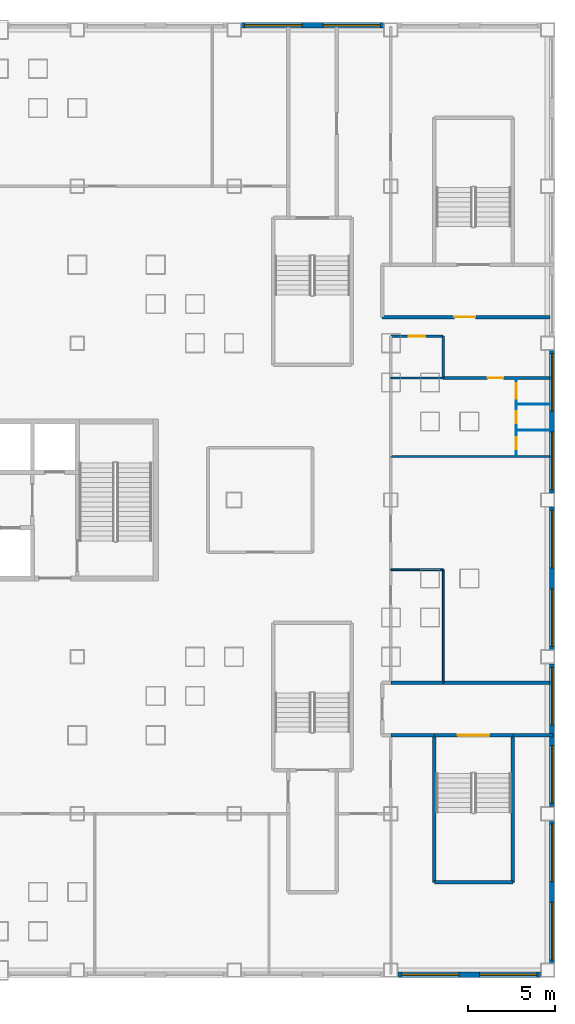
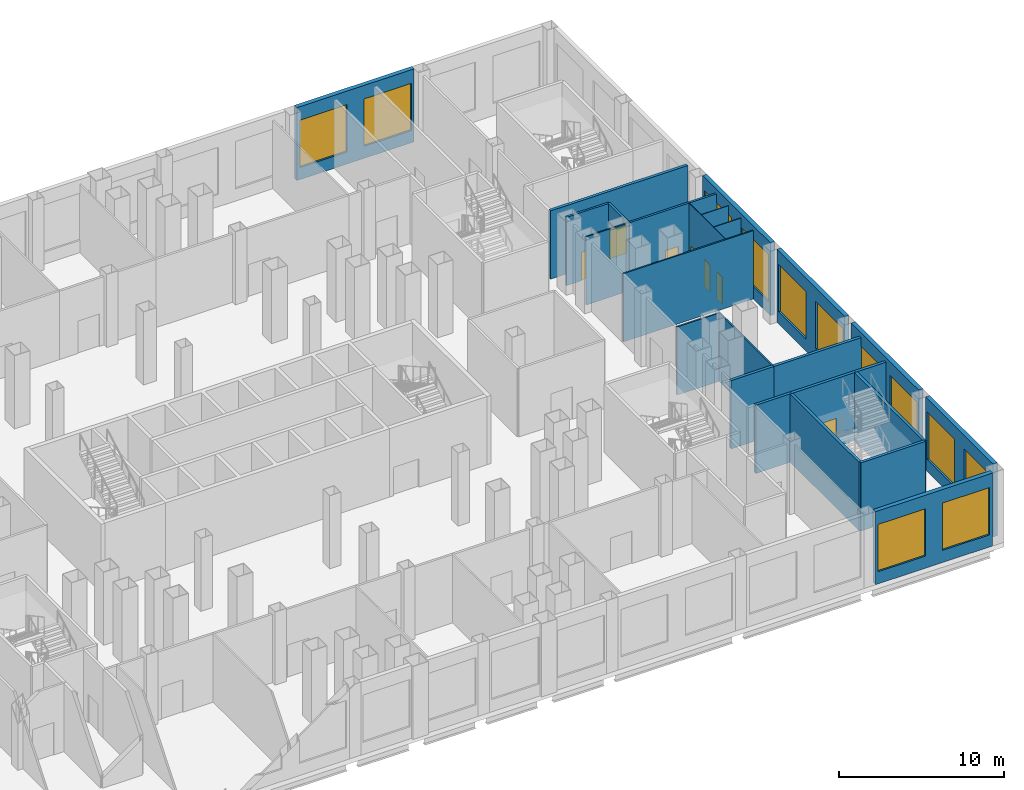
# One storey, part 8 of 27: 25 walls, 12 windows, 7 doors, 19 openings.
"""IFC4 building model written with IfcOpenShell, lengths in metres."""

from ifc_helpers import new_model, si_unit, direction, frame, frame_2d, origin, place, context, subcontext, project, spatial, rectangle, extrude, material, layer, layer_set, type_object, element, fill, save


model = new_model("IFC4")

# Units and contexts
model_context = context("Model", 3, precision=1e-05, world=origin(), true_north=direction((0.0, 1.0)))
body_context = subcontext(model_context, "Body", "Model", "MODEL_VIEW")
ifc_project = project(units=[si_unit("LENGTHUNIT", "METRE"), si_unit("AREAUNIT", "SQUARE_METRE"), si_unit("VOLUMEUNIT", "CUBIC_METRE"), si_unit("PLANEANGLEUNIT", "RADIAN"), si_unit("MASSUNIT", "GRAM", prefix="KILO")], contexts=[model_context])

# Site, building, storey
site_placement = place(None, origin())
site = spatial("IfcSite", under=ifc_project, at=site_placement, CompositionType="ELEMENT")
building_placement = place(site_placement, origin())
building = spatial("IfcBuilding", under=site, at=building_placement, Name="Caravel Reach Hotel and Residences", CompositionType="ELEMENT")
storey_placement = place(building_placement, frame((0.0, 0.0, 6.60009765625)))
storey = spatial("IfcBuildingStorey", under=building, at=storey_placement, Name="L01", CompositionType="ELEMENT", Elevation=6.60009765625)

# Walls
ifc_material_1 = material(Name="Autoclaved aerated block wall")
ifc_layer_1 = layer(ifc_material_1, 0.199951171875)
ifc_layer_set_1 = layer_set([ifc_layer_1], Name="Compartment wall 200 mm EI 120")
wall_type_1 = type_object("IfcWallType", Name="Compartment wall 200 mm EI 120", PredefinedType="PARTITIONING", material=ifc_layer_set_1)
wall_1_placement = place(storey_placement, frame((58.5, 13.5, 0.0), z_axis=(0.0, 0.0, 1.0), x_axis=(1.0, 0.0, 0.0)))
element("IfcWall", 1, at=wall_1_placement, inside=storey, type_object=wall_type_1, Name="L01 wall w060", PredefinedType="PARTITIONING", context=body_context, shape_type="SweptSolid", body=[
    extrude(rectangle(XDim=2.5, YDim=0.199951171875, at=frame_2d((1.25, 0.0))), origin(), (0.0, 0.0, 1.0), 5.0498046875),
])
wall_2_placement = place(storey_placement, frame((65.5, 13.5, 0.0), z_axis=(0.0, 0.0, 1.0), x_axis=(1.0, 0.0, 0.0)))
element("IfcWall", 2, at=wall_2_placement, inside=storey, type_object=wall_type_1, Name="L01 wall w061", PredefinedType="PARTITIONING", context=body_context, shape_type="SweptSolid", body=[
    extrude(rectangle(XDim=2.2900390625, YDim=0.199951171875, at=frame_2d((1.14501953125, 0.0))), origin(), (0.0, 0.0, 1.0), 5.0498046875),
])
wall_3_placement = place(storey_placement, frame((58.5, 16.5, 0.0), z_axis=(0.0, 0.0, 1.0), x_axis=(1.0, 0.0, 0.0)))
element("IfcWall", 3, at=wall_3_placement, inside=storey, type_object=wall_type_1, Name="L01 wall w063", PredefinedType="PARTITIONING", context=body_context, shape_type="SweptSolid", body=[
    extrude(rectangle(XDim=3.0, YDim=0.199951171875, at=frame_2d((1.5, 0.0))), origin(), (0.0, 0.0, 1.0), 5.0498046875),
])
wall_4_placement = place(storey_placement, frame((61.5, 16.5, 0.0), z_axis=(0.0, 0.0, 1.0), x_axis=(1.0, 0.0, 0.0)))
element("IfcWall", 4, at=wall_4_placement, inside=storey, type_object=wall_type_1, Name="L01 wall w064", PredefinedType="PARTITIONING", context=body_context, shape_type="SweptSolid", body=[
    extrude(rectangle(XDim=6.1201171875, YDim=0.199951171875, at=frame_2d((3.06005859375, 0.0))), origin(), (0.0, 0.0, 1.0), 5.0498046875),
])

# Wall, opening, door
wall_5_placement = place(storey_placement, frame((58.0, 37.5, 0.0), z_axis=(0.0, 0.0, 1.0), x_axis=(1.0, 0.0, 0.0)))
wall_5 = element("IfcWall", 5, at=wall_5_placement, inside=storey, type_object=wall_type_1, Name="L01 wall w066", PredefinedType="PARTITIONING", context=body_context, shape_type="SweptSolid", body=[
    extrude(rectangle(XDim=9.6201171875, YDim=0.199951171875, at=frame_2d((4.81005859375, 0.0))), origin(), (0.0, 0.0, 1.0), 5.0498046875),
])
opening_1_placement = place(wall_5_placement, frame((4.14990234375, 0.0, 0.0)))
opening_1 = element("IfcOpeningElement", 6, at=opening_1_placement, cuts=wall_5, Name="Opening D01-024", PredefinedType="OPENING", context=body_context, shape_type="SweptSolid", body=[
    extrude(rectangle(XDim=1.199951171875, YDim=2.10009765625, at=frame_2d((0.60009765625, 1.050048828125))), frame((0.0, 0.10986328125, 0.0), z_axis=(0.0, -1.0, 0.0), x_axis=(1.0, 0.0, 0.0)), (0.0, 0.0, 1.0), 0.219970703125),
])
ifc_material_2 = material(Name="Steel fire door leaf", Category="steel")
door_type_1 = type_object("IfcDoorType", Name="Fire lobby door 1200 x 2100 EI 90", OperationType="SINGLE_SWING_LEFT", PredefinedType="DOOR", material=ifc_material_2)
door_1_placement = place(opening_1_placement, origin())
door_1 = element("IfcDoor", 7, at=door_1_placement, inside=storey, type_object=door_type_1, Name="door D01-024", OperationType="SINGLE_SWING_RIGHT", OverallHeight=2.10009765625, OverallWidth=1.199951171875, PredefinedType="DOOR", context=body_context, shape_type="SweptSolid", body=[
    extrude(rectangle(XDim=1.199951171875, YDim=2.10009765625, at=frame_2d((0.60009765625, 1.050048828125))), frame((0.0, 0.02490234375, 0.0), z_axis=(0.0, -1.0, 0.0), x_axis=(1.0, 0.0, 0.0)), (0.0, 0.0, 1.0), 0.050048828125),
])
fill(opening_1, door_1)

ifc_material_3 = material(Name="Gypsum board on steel stud, fire-rated", Category="steel")
ifc_layer_2 = layer(ifc_material_3, 0.14990234375)
ifc_layer_set_2 = layer_set([ifc_layer_2], Name="Corridor wall 150 mm EI 60")
wall_type_2 = type_object("IfcWallType", Name="Corridor wall 150 mm EI 60", PredefinedType="PARTITIONING", material=ifc_layer_set_2)
wall_6_placement = place(storey_placement, frame((61.5, 34.0, 0.0), z_axis=(0.0, 0.0, 1.0), x_axis=(1.0, 0.0, 0.0)))
wall_6 = element("IfcWall", 8, at=wall_6_placement, inside=storey, type_object=wall_type_2, Name="L01 wall w006", PredefinedType="PARTITIONING", context=body_context, shape_type="SweptSolid", body=[
    extrude(rectangle(XDim=6.1201171875, YDim=0.14990234375, at=frame_2d((3.06005859375, 0.0))), origin(), (0.0, 0.0, 1.0), 5.0498046875),
])
opening_2_placement = place(wall_6_placement, frame((2.550048828125, 0.0, 0.0)))
opening_2 = element("IfcOpeningElement", 9, at=opening_2_placement, cuts=wall_6, Name="Opening D01-036", PredefinedType="OPENING", context=body_context, shape_type="SweptSolid", body=[
    extrude(rectangle(XDim=0.89990234375, YDim=2.10009765625, at=frame_2d((0.449951171875, 1.050048828125))), frame((0.0, 0.0849609375, 0.0), z_axis=(0.0, -1.0, 0.0), x_axis=(1.0, 0.0, 0.0)), (0.0, 0.0, 1.0), 0.169921875),
])
ifc_material_4 = material(Name="Timber and steel door leaf", Category="steel")
door_type_2 = type_object("IfcDoorType", Name="Door 900 x 2100 timber", OperationType="SINGLE_SWING_LEFT", PredefinedType="DOOR", material=ifc_material_4)
door_2_placement = place(opening_2_placement, origin())
door_2 = element("IfcDoor", 10, at=door_2_placement, inside=storey, type_object=door_type_2, Name="door D01-036", OperationType="SINGLE_SWING_RIGHT", OverallHeight=2.10009765625, OverallWidth=0.89990234375, PredefinedType="DOOR", context=body_context, shape_type="SweptSolid", body=[
    extrude(rectangle(XDim=0.89990234375, YDim=2.10009765625, at=frame_2d((0.449951171875, 1.050048828125))), frame((0.0, 0.02490234375, 0.0), z_axis=(0.0, -1.0, 0.0), x_axis=(1.0, 0.0, 0.0)), (0.0, 0.0, 1.0), 0.050048828125),
])
fill(opening_2, door_2)

wall_7_placement = place(storey_placement, frame((58.5, 36.39990234375, 0.0), z_axis=(0.0, 0.0, 1.0), x_axis=(1.0, 0.0, 0.0)))
wall_7 = element("IfcWall", 11, at=wall_7_placement, inside=storey, type_object=wall_type_2, Name="L01 wall w008", PredefinedType="PARTITIONING", context=body_context, shape_type="SweptSolid", body=[
    extrude(rectangle(XDim=3.0, YDim=0.14990234375, at=frame_2d((1.5, 0.0))), origin(), (0.0, 0.0, 1.0), 5.0498046875),
])
opening_3_placement = place(wall_7_placement, frame((1.02490234375, 0.0, 0.0)))
opening_3 = element("IfcOpeningElement", 12, at=opening_3_placement, cuts=wall_7, Name="Opening D01-037", PredefinedType="OPENING", context=body_context, shape_type="SweptSolid", body=[
    extrude(rectangle(XDim=0.949951171875, YDim=2.10009765625, at=frame_2d((0.47509765625, 1.050048828125))), frame((0.0, 0.0849609375, 0.0), z_axis=(0.0, -1.0, 0.0), x_axis=(1.0, 0.0, 0.0)), (0.0, 0.0, 1.0), 0.169921875),
])
ifc_material_5 = material(Name="Timber and steel door leaf", Category="steel")
door_type_3 = type_object("IfcDoorType", Name="Accessible WC door 950 x 2100", OperationType="SINGLE_SWING_LEFT", PredefinedType="DOOR", material=ifc_material_5)
door_3_placement = place(opening_3_placement, origin())
door_3 = element("IfcDoor", 13, at=door_3_placement, inside=storey, type_object=door_type_3, Name="door D01-037", OperationType="SINGLE_SWING_RIGHT", OverallHeight=2.10009765625, OverallWidth=0.949951171875, PredefinedType="DOOR", context=body_context, shape_type="SweptSolid", body=[
    extrude(rectangle(XDim=0.949951171875, YDim=2.10009765625, at=frame_2d((0.47509765625, 1.050048828125))), frame((0.0, 0.02490234375, 0.0), z_axis=(0.0, -1.0, 0.0), x_axis=(1.0, 0.0, 0.0)), (0.0, 0.0, 1.0), 0.050048828125),
])
fill(opening_3, door_3)

# Wall
wall_8_placement = place(storey_placement, frame((61.5, 34.0, 0.0), z_axis=(0.0, 0.0, 1.0), x_axis=(0.0, 1.0, 0.0)))
element("IfcWall", 14, at=wall_8_placement, inside=storey, type_object=wall_type_2, Name="L01 wall w038", PredefinedType="PARTITIONING", context=body_context, shape_type="SweptSolid", body=[
    extrude(rectangle(XDim=2.39990234375, YDim=0.14990234375, at=frame_2d((1.199951171875, 0.0))), origin(), (0.0, 0.0, 1.0), 5.0498046875),
])

# Wall, openings, windows
ifc_material_6 = material(Name="Insulated wall, stone cladding", Category="masonry")
ifc_layer_3 = layer(ifc_material_6, 0.300048828125)
ifc_layer_set_3 = layer_set([ifc_layer_3], Name="EW2 Podium stone-clad wall")
wall_type_3 = type_object("IfcWallType", Name="EW2 Podium stone-clad wall", PredefinedType="SOLIDWALL", material=ifc_layer_set_3)
wall_9_placement = place(storey_placement, frame((67.75, 0.39990234375, 0.0), z_axis=(0.0, 0.0, 1.0), x_axis=(0.0, 1.0, 0.0)))
wall_9 = element("IfcWall", 15, at=wall_9_placement, inside=storey, type_object=wall_type_3, Name="External wall L01 E1.1", PredefinedType="SOLIDWALL", context=body_context, shape_type="SweptSolid", body=[
    extrude(rectangle(XDim=8.2001953125, YDim=0.300048828125, at=frame_2d((4.10009765625, 0.0))), origin(), (0.0, 0.0, 1.0), 5.39990234375),
])
opening_4_placement = place(wall_9_placement, frame((0.199951171875, 0.0, 0.89990234375)))
opening_4 = element("IfcOpeningElement", 16, at=opening_4_placement, cuts=wall_9, Name="Opening WN30", PredefinedType="OPENING", context=body_context, shape_type="SweptSolid", body=[
    extrude(rectangle(XDim=3.300048828125, YDim=3.5, at=frame_2d((1.64990234375, 1.75))), frame((0.0, 0.159912109375, 0.0), z_axis=(0.0, -1.0, 0.0), x_axis=(1.0, 0.0, 0.0)), (0.0, 0.0, 1.0), 0.320068359375),
])
opening_5_placement = place(wall_9_placement, frame((4.699951171875, 0.0, 0.89990234375)))
opening_5 = element("IfcOpeningElement", 17, at=opening_5_placement, cuts=wall_9, Name="Opening WN30", PredefinedType="OPENING", context=body_context, shape_type="SweptSolid", body=[
    extrude(rectangle(XDim=3.300048828125, YDim=3.5, at=frame_2d((1.64990234375, 1.75))), frame((0.0, 0.159912109375, 0.0), z_axis=(0.0, -1.0, 0.0), x_axis=(1.0, 0.0, 0.0)), (0.0, 0.0, 1.0), 0.320068359375),
])
ifc_material_7 = material(Name="Dark low-e glazing in black aluminium frame", Category="aluminium")
window_type = type_object("IfcWindowType", Name="Podium window 3300 x 3500", PartitioningType="SINGLE_PANEL", PredefinedType="WINDOW", material=ifc_material_7)
window_1_placement = place(opening_4_placement, origin())
window_1 = element("IfcWindow", 18, at=window_1_placement, inside=storey, type_object=window_type, Name="Window L01 E1.1.1", OverallHeight=3.5, OverallWidth=3.300048828125, PartitioningType="SINGLE_PANEL", PredefinedType="WINDOW", context=body_context, shape_type="SweptSolid", body=[
    extrude(rectangle(XDim=3.300048828125, YDim=3.5, at=frame_2d((1.64990234375, 1.75))), frame((0.0, 0.030029296875, 0.0), z_axis=(0.0, -1.0, 0.0), x_axis=(1.0, 0.0, 0.0)), (0.0, 0.0, 1.0), 0.06005859375),
])
fill(opening_4, window_1)
window_2_placement = place(opening_5_placement, origin())
window_2 = element("IfcWindow", 19, at=window_2_placement, inside=storey, type_object=window_type, Name="Window L01 E1.1.2", OverallHeight=3.5, OverallWidth=3.300048828125, PartitioningType="SINGLE_PANEL", PredefinedType="WINDOW", context=body_context, shape_type="SweptSolid", body=[
    extrude(rectangle(XDim=3.300048828125, YDim=3.5, at=frame_2d((1.64990234375, 1.75))), frame((0.0, 0.030029296875, 0.0), z_axis=(0.0, -1.0, 0.0), x_axis=(1.0, 0.0, 0.0)), (0.0, 0.0, 1.0), 0.06005859375),
])
fill(opening_5, window_2)

wall_10_placement = place(storey_placement, frame((67.75, 9.39990234375, 0.0), z_axis=(0.0, 0.0, 1.0), x_axis=(0.0, 1.0, 0.0)))
wall_10 = element("IfcWall", 20, at=wall_10_placement, inside=storey, type_object=wall_type_3, Name="External wall L01 E1.2", PredefinedType="SOLIDWALL", context=body_context, shape_type="SweptSolid", body=[
    extrude(rectangle(XDim=8.2001953125, YDim=0.300048828125, at=frame_2d((4.10009765625, 0.0))), origin(), (0.0, 0.0, 1.0), 5.39990234375),
])
opening_6_placement = place(wall_10_placement, frame((0.199951171875, 0.0, 0.89990234375)))
opening_6 = element("IfcOpeningElement", 21, at=opening_6_placement, cuts=wall_10, Name="Opening WN30", PredefinedType="OPENING", context=body_context, shape_type="SweptSolid", body=[
    extrude(rectangle(XDim=3.300048828125, YDim=3.5, at=frame_2d((1.64990234375, 1.75))), frame((0.0, 0.159912109375, 0.0), z_axis=(0.0, -1.0, 0.0), x_axis=(1.0, 0.0, 0.0)), (0.0, 0.0, 1.0), 0.320068359375),
])
opening_7_placement = place(wall_10_placement, frame((4.699951171875, 0.0, 0.89990234375)))
opening_7 = element("IfcOpeningElement", 22, at=opening_7_placement, cuts=wall_10, Name="Opening WN30", PredefinedType="OPENING", context=body_context, shape_type="SweptSolid", body=[
    extrude(rectangle(XDim=3.300048828125, YDim=3.5, at=frame_2d((1.64990234375, 1.75))), frame((0.0, 0.159912109375, 0.0), z_axis=(0.0, -1.0, 0.0), x_axis=(1.0, 0.0, 0.0)), (0.0, 0.0, 1.0), 0.320068359375),
])
window_3_placement = place(opening_6_placement, origin())
window_3 = element("IfcWindow", 23, at=window_3_placement, inside=storey, type_object=window_type, Name="Window L01 E1.2.1", OverallHeight=3.5, OverallWidth=3.300048828125, PartitioningType="SINGLE_PANEL", PredefinedType="WINDOW", context=body_context, shape_type="SweptSolid", body=[
    extrude(rectangle(XDim=3.300048828125, YDim=3.5, at=frame_2d((1.64990234375, 1.75))), frame((0.0, 0.030029296875, 0.0), z_axis=(0.0, -1.0, 0.0), x_axis=(1.0, 0.0, 0.0)), (0.0, 0.0, 1.0), 0.06005859375),
])
fill(opening_6, window_3)
window_4_placement = place(opening_7_placement, origin())
window_4 = element("IfcWindow", 24, at=window_4_placement, inside=storey, type_object=window_type, Name="Window L01 E1.2.2", OverallHeight=3.5, OverallWidth=3.300048828125, PartitioningType="SINGLE_PANEL", PredefinedType="WINDOW", context=body_context, shape_type="SweptSolid", body=[
    extrude(rectangle(XDim=3.300048828125, YDim=3.5, at=frame_2d((1.64990234375, 1.75))), frame((0.0, 0.030029296875, 0.0), z_axis=(0.0, -1.0, 0.0), x_axis=(1.0, 0.0, 0.0)), (0.0, 0.0, 1.0), 0.06005859375),
])
fill(opening_7, window_4)

wall_11_placement = place(storey_placement, frame((67.75, 18.39990234375, 0.0), z_axis=(0.0, 0.0, 1.0), x_axis=(0.0, 1.0, 0.0)))
wall_11 = element("IfcWall", 25, at=wall_11_placement, inside=storey, type_object=wall_type_3, Name="External wall L01 E1.3", PredefinedType="SOLIDWALL", context=body_context, shape_type="SweptSolid", body=[
    extrude(rectangle(XDim=8.2001953125, YDim=0.300048828125, at=frame_2d((4.10009765625, 0.0))), origin(), (0.0, 0.0, 1.0), 5.39990234375),
])
opening_8_placement = place(wall_11_placement, frame((0.199951171875, 0.0, 0.89990234375)))
opening_8 = element("IfcOpeningElement", 26, at=opening_8_placement, cuts=wall_11, Name="Opening WN30", PredefinedType="OPENING", context=body_context, shape_type="SweptSolid", body=[
    extrude(rectangle(XDim=3.300048828125, YDim=3.5, at=frame_2d((1.64990234375, 1.75))), frame((0.0, 0.159912109375, 0.0), z_axis=(0.0, -1.0, 0.0), x_axis=(1.0, 0.0, 0.0)), (0.0, 0.0, 1.0), 0.320068359375),
])
opening_9_placement = place(wall_11_placement, frame((4.699951171875, 0.0, 0.89990234375)))
opening_9 = element("IfcOpeningElement", 27, at=opening_9_placement, cuts=wall_11, Name="Opening WN30", PredefinedType="OPENING", context=body_context, shape_type="SweptSolid", body=[
    extrude(rectangle(XDim=3.300048828125, YDim=3.5, at=frame_2d((1.64990234375, 1.75))), frame((0.0, 0.159912109375, 0.0), z_axis=(0.0, -1.0, 0.0), x_axis=(1.0, 0.0, 0.0)), (0.0, 0.0, 1.0), 0.320068359375),
])
window_5_placement = place(opening_8_placement, origin())
window_5 = element("IfcWindow", 28, at=window_5_placement, inside=storey, type_object=window_type, Name="Window L01 E1.3.1", OverallHeight=3.5, OverallWidth=3.300048828125, PartitioningType="SINGLE_PANEL", PredefinedType="WINDOW", context=body_context, shape_type="SweptSolid", body=[
    extrude(rectangle(XDim=3.300048828125, YDim=3.5, at=frame_2d((1.64990234375, 1.75))), frame((0.0, 0.030029296875, 0.0), z_axis=(0.0, -1.0, 0.0), x_axis=(1.0, 0.0, 0.0)), (0.0, 0.0, 1.0), 0.06005859375),
])
fill(opening_8, window_5)
window_6_placement = place(opening_9_placement, origin())
window_6 = element("IfcWindow", 29, at=window_6_placement, inside=storey, type_object=window_type, Name="Window L01 E1.3.2", OverallHeight=3.5, OverallWidth=3.300048828125, PartitioningType="SINGLE_PANEL", PredefinedType="WINDOW", context=body_context, shape_type="SweptSolid", body=[
    extrude(rectangle(XDim=3.300048828125, YDim=3.5, at=frame_2d((1.64990234375, 1.75))), frame((0.0, 0.030029296875, 0.0), z_axis=(0.0, -1.0, 0.0), x_axis=(1.0, 0.0, 0.0)), (0.0, 0.0, 1.0), 0.06005859375),
])
fill(opening_9, window_6)

wall_12_placement = place(storey_placement, frame((67.75, 27.39990234375, 0.0), z_axis=(0.0, 0.0, 1.0), x_axis=(0.0, 1.0, 0.0)))
wall_12 = element("IfcWall", 30, at=wall_12_placement, inside=storey, type_object=wall_type_3, Name="External wall L01 E1.4", PredefinedType="SOLIDWALL", context=body_context, shape_type="SweptSolid", body=[
    extrude(rectangle(XDim=8.2001953125, YDim=0.300048828125, at=frame_2d((4.10009765625, 0.0))), origin(), (0.0, 0.0, 1.0), 5.39990234375),
])
opening_10_placement = place(wall_12_placement, frame((0.199951171875, 0.0, 0.89990234375)))
opening_10 = element("IfcOpeningElement", 31, at=opening_10_placement, cuts=wall_12, Name="Opening WN30", PredefinedType="OPENING", context=body_context, shape_type="SweptSolid", body=[
    extrude(rectangle(XDim=3.300048828125, YDim=3.5, at=frame_2d((1.64990234375, 1.75))), frame((0.0, 0.159912109375, 0.0), z_axis=(0.0, -1.0, 0.0), x_axis=(1.0, 0.0, 0.0)), (0.0, 0.0, 1.0), 0.320068359375),
])
opening_11_placement = place(wall_12_placement, frame((4.699951171875, 0.0, 0.89990234375)))
opening_11 = element("IfcOpeningElement", 32, at=opening_11_placement, cuts=wall_12, Name="Opening WN30", PredefinedType="OPENING", context=body_context, shape_type="SweptSolid", body=[
    extrude(rectangle(XDim=3.300048828125, YDim=3.5, at=frame_2d((1.64990234375, 1.75))), frame((0.0, 0.159912109375, 0.0), z_axis=(0.0, -1.0, 0.0), x_axis=(1.0, 0.0, 0.0)), (0.0, 0.0, 1.0), 0.320068359375),
])
window_7_placement = place(opening_10_placement, origin())
window_7 = element("IfcWindow", 33, at=window_7_placement, inside=storey, type_object=window_type, Name="Window L01 E1.4.1", OverallHeight=3.5, OverallWidth=3.300048828125, PartitioningType="SINGLE_PANEL", PredefinedType="WINDOW", context=body_context, shape_type="SweptSolid", body=[
    extrude(rectangle(XDim=3.300048828125, YDim=3.5, at=frame_2d((1.64990234375, 1.75))), frame((0.0, 0.030029296875, 0.0), z_axis=(0.0, -1.0, 0.0), x_axis=(1.0, 0.0, 0.0)), (0.0, 0.0, 1.0), 0.06005859375),
])
fill(opening_10, window_7)
window_8_placement = place(opening_11_placement, origin())
window_8 = element("IfcWindow", 34, at=window_8_placement, inside=storey, type_object=window_type, Name="Window L01 E1.4.2", OverallHeight=3.5, OverallWidth=3.300048828125, PartitioningType="SINGLE_PANEL", PredefinedType="WINDOW", context=body_context, shape_type="SweptSolid", body=[
    extrude(rectangle(XDim=3.300048828125, YDim=3.5, at=frame_2d((1.64990234375, 1.75))), frame((0.0, 0.030029296875, 0.0), z_axis=(0.0, -1.0, 0.0), x_axis=(1.0, 0.0, 0.0)), (0.0, 0.0, 1.0), 0.06005859375),
])
fill(opening_11, window_8)

wall_13_placement = place(storey_placement, frame((58.10009765625, 54.25, 0.0), z_axis=(0.0, 0.0, 1.0), x_axis=(-1.0, 0.0, 0.0)))
wall_13 = element("IfcWall", 35, at=wall_13_placement, inside=storey, type_object=wall_type_3, Name="External wall L01 N2.2", PredefinedType="SOLIDWALL", context=body_context, shape_type="SweptSolid", body=[
    extrude(rectangle(XDim=8.2001953125, YDim=0.300048828125, at=frame_2d((4.10009765625, 0.0))), origin(), (0.0, 0.0, 1.0), 5.39990234375),
])
opening_12_placement = place(wall_13_placement, frame((0.199951171875, 0.0, 0.89990234375)))
opening_12 = element("IfcOpeningElement", 36, at=opening_12_placement, cuts=wall_13, Name="Opening WN30", PredefinedType="OPENING", context=body_context, shape_type="SweptSolid", body=[
    extrude(rectangle(XDim=3.300048828125, YDim=3.5, at=frame_2d((1.64990234375, 1.75))), frame((0.0, 0.159912109375, 0.0), z_axis=(0.0, -1.0, 0.0), x_axis=(1.0, 0.0, 0.0)), (0.0, 0.0, 1.0), 0.320068359375),
])
opening_13_placement = place(wall_13_placement, frame((4.699951171875, 0.0, 0.89990234375)))
opening_13 = element("IfcOpeningElement", 37, at=opening_13_placement, cuts=wall_13, Name="Opening WN30", PredefinedType="OPENING", context=body_context, shape_type="SweptSolid", body=[
    extrude(rectangle(XDim=3.300048828125, YDim=3.5, at=frame_2d((1.64990234375, 1.75))), frame((0.0, 0.159912109375, 0.0), z_axis=(0.0, -1.0, 0.0), x_axis=(1.0, 0.0, 0.0)), (0.0, 0.0, 1.0), 0.320068359375),
])
window_9_placement = place(opening_12_placement, origin())
window_9 = element("IfcWindow", 38, at=window_9_placement, inside=storey, type_object=window_type, Name="Window L01 N2.2.1", OverallHeight=3.5, OverallWidth=3.300048828125, PartitioningType="SINGLE_PANEL", PredefinedType="WINDOW", context=body_context, shape_type="SweptSolid", body=[
    extrude(rectangle(XDim=3.300048828125, YDim=3.5, at=frame_2d((1.64990234375, 1.75))), frame((0.0, 0.030029296875, 0.0), z_axis=(0.0, -1.0, 0.0), x_axis=(1.0, 0.0, 0.0)), (0.0, 0.0, 1.0), 0.06005859375),
])
fill(opening_12, window_9)
window_10_placement = place(opening_13_placement, origin())
window_10 = element("IfcWindow", 39, at=window_10_placement, inside=storey, type_object=window_type, Name="Window L01 N2.2.2", OverallHeight=3.5, OverallWidth=3.300048828125, PartitioningType="SINGLE_PANEL", PredefinedType="WINDOW", context=body_context, shape_type="SweptSolid", body=[
    extrude(rectangle(XDim=3.300048828125, YDim=3.5, at=frame_2d((1.64990234375, 1.75))), frame((0.0, 0.030029296875, 0.0), z_axis=(0.0, -1.0, 0.0), x_axis=(1.0, 0.0, 0.0)), (0.0, 0.0, 1.0), 0.06005859375),
])
fill(opening_13, window_10)

wall_14_placement = place(storey_placement, frame((58.89990234375, -0.25, 0.0), z_axis=(0.0, 0.0, 1.0), x_axis=(1.0, 0.0, 0.0)))
wall_14 = element("IfcWall", 40, at=wall_14_placement, inside=storey, type_object=wall_type_3, Name="External wall L01 S4.10", PredefinedType="SOLIDWALL", context=body_context, shape_type="SweptSolid", body=[
    extrude(rectangle(XDim=8.2001953125, YDim=0.300048828125, at=frame_2d((4.10009765625, 0.0))), origin(), (0.0, 0.0, 1.0), 5.39990234375),
])
opening_14_placement = place(wall_14_placement, frame((0.199951171875, 0.0, 0.89990234375)))
opening_14 = element("IfcOpeningElement", 41, at=opening_14_placement, cuts=wall_14, Name="Opening WN30", PredefinedType="OPENING", context=body_context, shape_type="SweptSolid", body=[
    extrude(rectangle(XDim=3.300048828125, YDim=3.5, at=frame_2d((1.64990234375, 1.75))), frame((0.0, 0.159912109375, 0.0), z_axis=(0.0, -1.0, 0.0), x_axis=(1.0, 0.0, 0.0)), (0.0, 0.0, 1.0), 0.320068359375),
])
opening_15_placement = place(wall_14_placement, frame((4.699951171875, 0.0, 0.89990234375)))
opening_15 = element("IfcOpeningElement", 42, at=opening_15_placement, cuts=wall_14, Name="Opening WN30", PredefinedType="OPENING", context=body_context, shape_type="SweptSolid", body=[
    extrude(rectangle(XDim=3.300048828125, YDim=3.5, at=frame_2d((1.64990234375, 1.75))), frame((0.0, 0.159912109375, 0.0), z_axis=(0.0, -1.0, 0.0), x_axis=(1.0, 0.0, 0.0)), (0.0, 0.0, 1.0), 0.320068359375),
])
window_11_placement = place(opening_14_placement, origin())
window_11 = element("IfcWindow", 43, at=window_11_placement, inside=storey, type_object=window_type, Name="Window L01 S4.10.1", OverallHeight=3.5, OverallWidth=3.300048828125, PartitioningType="SINGLE_PANEL", PredefinedType="WINDOW", context=body_context, shape_type="SweptSolid", body=[
    extrude(rectangle(XDim=3.300048828125, YDim=3.5, at=frame_2d((1.64990234375, 1.75))), frame((0.0, 0.030029296875, 0.0), z_axis=(0.0, -1.0, 0.0), x_axis=(1.0, 0.0, 0.0)), (0.0, 0.0, 1.0), 0.06005859375),
])
fill(opening_14, window_11)
window_12_placement = place(opening_15_placement, origin())
window_12 = element("IfcWindow", 44, at=window_12_placement, inside=storey, type_object=window_type, Name="Window L01 S4.10.2", OverallHeight=3.5, OverallWidth=3.300048828125, PartitioningType="SINGLE_PANEL", PredefinedType="WINDOW", context=body_context, shape_type="SweptSolid", body=[
    extrude(rectangle(XDim=3.300048828125, YDim=3.5, at=frame_2d((1.64990234375, 1.75))), frame((0.0, 0.030029296875, 0.0), z_axis=(0.0, -1.0, 0.0), x_axis=(1.0, 0.0, 0.0)), (0.0, 0.0, 1.0), 0.06005859375),
])
fill(opening_15, window_12)

# Walls
ifc_material_8 = material(Name="Gypsum board on steel stud", Category="steel")
ifc_layer_4 = layer(ifc_material_8, 0.10009765625)
ifc_layer_set_4 = layer_set([ifc_layer_4], Name="Partition 100 mm")
wall_type_4 = type_object("IfcWallType", Name="Partition 100 mm", PredefinedType="PARTITIONING", material=ifc_layer_set_4)
wall_15_placement = place(storey_placement, frame((58.5, 23.0, 0.0), z_axis=(0.0, 0.0, 1.0), x_axis=(1.0, 0.0, 0.0)))
element("IfcWall", 45, at=wall_15_placement, inside=storey, type_object=wall_type_4, Name="L01 wall w041", PredefinedType="PARTITIONING", context=body_context, shape_type="SweptSolid", body=[
    extrude(rectangle(XDim=3.0, YDim=0.10009765625, at=frame_2d((1.5, 0.0))), origin(), (0.0, 0.0, 1.0), 5.0498046875),
])
wall_16_placement = place(storey_placement, frame((58.5, 29.5, 0.0), z_axis=(0.0, 0.0, 1.0), x_axis=(1.0, 0.0, 0.0)))
element("IfcWall", 46, at=wall_16_placement, inside=storey, type_object=wall_type_4, Name="L01 wall w043", PredefinedType="PARTITIONING", context=body_context, shape_type="SweptSolid", body=[
    extrude(rectangle(XDim=9.1201171875, YDim=0.10009765625, at=frame_2d((4.56005859375, 0.0))), origin(), (0.0, 0.0, 1.0), 5.0498046875),
])
wall_17_placement = place(storey_placement, frame((58.5, 34.0, 0.0), z_axis=(0.0, 0.0, 1.0), x_axis=(1.0, 0.0, 0.0)))
element("IfcWall", 47, at=wall_17_placement, inside=storey, type_object=wall_type_4, Name="L01 wall w045", PredefinedType="PARTITIONING", context=body_context, shape_type="SweptSolid", body=[
    extrude(rectangle(XDim=3.0, YDim=0.10009765625, at=frame_2d((1.5, 0.0))), origin(), (0.0, 0.0, 1.0), 5.0498046875),
])
wall_18_placement = place(storey_placement, frame((61.5, 16.5, 0.0), z_axis=(0.0, 0.0, 1.0), x_axis=(0.0, 1.0, 0.0)))
element("IfcWall", 48, at=wall_18_placement, inside=storey, type_object=wall_type_4, Name="L01 wall w058", PredefinedType="PARTITIONING", context=body_context, shape_type="SweptSolid", body=[
    extrude(rectangle(XDim=6.5, YDim=0.10009765625, at=frame_2d((3.25, 0.0))), origin(), (0.0, 0.0, 1.0), 5.0498046875),
])

# Wall, opening, door
ifc_material_9 = material(Name="Concrete C60", Category="concrete")
ifc_layer_5 = layer(ifc_material_9, 0.199951171875)
ifc_layer_set_5 = layer_set([ifc_layer_5], Name="Stair enclosure wall 200 mm EI 120")
wall_type_5 = type_object("IfcWallType", Name="Stair enclosure wall 200 mm EI 120", PredefinedType="SHEAR", material=ifc_layer_set_5)
wall_19_placement = place(storey_placement, frame((61.0, 13.5, 0.0), z_axis=(0.0, 0.0, 1.0), x_axis=(1.0, 0.0, 0.0)))
wall_19 = element("IfcWall", 49, at=wall_19_placement, inside=storey, type_object=wall_type_5, Name="L01 wall w098", PredefinedType="SHEAR", context=body_context, shape_type="SweptSolid", body=[
    extrude(rectangle(XDim=4.5, YDim=0.199951171875, at=frame_2d((2.25, 0.0))), origin(), (0.0, 0.0, 1.0), 5.0498046875),
])
opening_16_placement = place(wall_19_placement, frame((1.35009765625, 0.0, 0.0)))
opening_16 = element("IfcOpeningElement", 50, at=opening_16_placement, cuts=wall_19, Name="Opening D01-027", PredefinedType="OPENING", context=body_context, shape_type="SweptSolid", body=[
    extrude(rectangle(XDim=1.800048828125, YDim=2.10009765625, at=frame_2d((0.89990234375, 1.050048828125))), frame((0.0, 0.10986328125, 0.0), z_axis=(0.0, -1.0, 0.0), x_axis=(1.0, 0.0, 0.0)), (0.0, 0.0, 1.0), 0.219970703125),
])
ifc_material_10 = material(Name="Steel fire door leaf", Category="steel")
door_type_4 = type_object("IfcDoorType", Name="Stair door pair 1800 x 2100 EI 90", OperationType="DOUBLE_DOOR_SINGLE_SWING", PredefinedType="DOOR", material=ifc_material_10)
door_4_placement = place(opening_16_placement, origin())
door_4 = element("IfcDoor", 51, at=door_4_placement, inside=storey, type_object=door_type_4, Name="door D01-027", OperationType="DOUBLE_DOOR_SINGLE_SWING", OverallHeight=2.10009765625, OverallWidth=1.800048828125, PredefinedType="DOOR", context=body_context, shape_type="SweptSolid", body=[
    extrude(rectangle(XDim=1.800048828125, YDim=2.10009765625, at=frame_2d((0.89990234375, 1.050048828125))), frame((0.0, 0.02490234375, 0.0), z_axis=(0.0, -1.0, 0.0), x_axis=(1.0, 0.0, 0.0)), (0.0, 0.0, 1.0), 0.050048828125),
])
fill(opening_16, door_4)

# Walls
wall_20_placement = place(storey_placement, frame((61.0, 5.050048828125, 0.0), z_axis=(0.0, 0.0, 1.0), x_axis=(1.0, 0.0, 0.0)))
element("IfcWall", 52, at=wall_20_placement, inside=storey, type_object=wall_type_5, Name="L01 wall w113", PredefinedType="SHEAR", context=body_context, shape_type="SweptSolid", body=[
    extrude(rectangle(XDim=4.5, YDim=0.199951171875, at=frame_2d((2.25, 0.0))), origin(), (0.0, 0.0, 1.0), 5.0498046875),
])
for number, where, z_axis, x_axis, name in (
    (53, (61.0, 5.050048828125, 0.0), (0.0, 0.0, 1.0), (0.0, 1.0, 0.0), "L01 wall w125"),
    (54, (65.5, 5.050048828125, 0.0), (0.0, 0.0, 1.0), (0.0, 1.0, 0.0), "L01 wall w127"),
):
    element("IfcWall", number, at=place(storey_placement, frame(where, z_axis=z_axis, x_axis=x_axis)), inside=storey, type_object=wall_type_5, Name=name, PredefinedType="SHEAR", context=body_context, shape_type="SweptSolid", body=[
        extrude(rectangle(XDim=8.449951171875, YDim=0.199951171875, at=frame_2d((4.22509765625, 0.0))), origin(), (0.0, 0.0, 1.0), 5.0498046875),
    ])
ifc_material_11 = material(Name="Laminate cubicle panel")
ifc_layer_6 = layer(ifc_material_11, 0.0400390625)
ifc_layer_set_6 = layer_set([ifc_layer_6], Name="WC cubicle partition 40 mm")
wall_type_6 = type_object("IfcWallType", Name="WC cubicle partition 40 mm", PredefinedType="PARTITIONING", material=ifc_layer_set_6)
wall_21_placement = place(storey_placement, frame((67.7900390625, 31.0, 0.0), z_axis=(0.0, 0.0, 1.0), x_axis=(-1.0, 0.0, 0.0)))
element("IfcWall", 55, at=wall_21_placement, inside=storey, type_object=wall_type_6, Name="L01 wall cbr09.d1", PredefinedType="PARTITIONING", context=body_context, shape_type="SweptSolid", body=[
    extrude(rectangle(XDim=2.090087890625, YDim=0.0400390625, at=frame_2d((1.044921875, 0.0))), origin(), (0.0, 0.0, 1.0), 5.0498046875),
])
wall_22_placement = place(storey_placement, frame((67.6201171875, 32.5, 0.0), z_axis=(0.0, 0.0, 1.0), x_axis=(-1.0, 0.0, 0.0)))
element("IfcWall", 56, at=wall_22_placement, inside=storey, type_object=wall_type_6, Name="L01 wall cbr09.d2", PredefinedType="PARTITIONING", context=body_context, shape_type="SweptSolid", body=[
    extrude(rectangle(XDim=1.920166015625, YDim=0.0400390625, at=frame_2d((0.9599609375, 0.0))), origin(), (0.0, 0.0, 1.0), 5.0498046875),
])

# Wall, openings, doors
wall_23_placement = place(storey_placement, frame((65.699951171875, 29.5, 0.0), z_axis=(0.0, 0.0, 1.0), x_axis=(0.0, 1.0, 0.0)))
wall_23 = element("IfcWall", 57, at=wall_23_placement, inside=storey, type_object=wall_type_6, Name="L01 wall cbr09.f", PredefinedType="PARTITIONING", context=body_context, shape_type="SweptSolid", body=[
    extrude(rectangle(XDim=4.5, YDim=0.0400390625, at=frame_2d((2.25, 0.0))), origin(), (0.0, 0.0, 1.0), 5.0498046875),
])
opening_17_placement = place(wall_23_placement, frame((0.39990234375, 0.0, 0.0)))
opening_17 = element("IfcOpeningElement", 58, at=opening_17_placement, cuts=wall_23, Name="Opening D01-056", PredefinedType="OPENING", context=body_context, shape_type="SweptSolid", body=[
    extrude(rectangle(XDim=0.699951171875, YDim=2.0, at=frame_2d((0.35009765625, 1.0))), frame((0.0, 0.030029296875, 0.0), z_axis=(0.0, -1.0, 0.0), x_axis=(1.0, 0.0, 0.0)), (0.0, 0.0, 1.0), 0.06005859375),
])
opening_18_placement = place(wall_23_placement, frame((1.89990234375, 0.0, 0.0)))
opening_18 = element("IfcOpeningElement", 59, at=opening_18_placement, cuts=wall_23, Name="Opening D01-057", PredefinedType="OPENING", context=body_context, shape_type="SweptSolid", body=[
    extrude(rectangle(XDim=0.699951171875, YDim=2.0, at=frame_2d((0.35009765625, 1.0))), frame((0.0, 0.030029296875, 0.0), z_axis=(0.0, -1.0, 0.0), x_axis=(1.0, 0.0, 0.0)), (0.0, 0.0, 1.0), 0.06005859375),
])
opening_19_placement = place(wall_23_placement, frame((3.300048828125, 0.0, 0.0)))
opening_19 = element("IfcOpeningElement", 60, at=opening_19_placement, cuts=wall_23, Name="Opening D01-058", PredefinedType="OPENING", context=body_context, shape_type="SweptSolid", body=[
    extrude(rectangle(XDim=0.89990234375, YDim=2.0, at=frame_2d((0.449951171875, 1.0))), frame((0.0, 0.030029296875, 0.0), z_axis=(0.0, -1.0, 0.0), x_axis=(1.0, 0.0, 0.0)), (0.0, 0.0, 1.0), 0.06005859375),
])
ifc_material_12 = material(Name="Timber and steel door leaf", Category="steel")
door_type_5 = type_object("IfcDoorType", Name="Accessible cubicle door 900 x 2000", OperationType="SINGLE_SWING_LEFT", PredefinedType="DOOR", material=ifc_material_12)
door_5_placement = place(opening_19_placement, origin())
door_5 = element("IfcDoor", 61, at=door_5_placement, inside=storey, type_object=door_type_5, Name="door D01-058", OperationType="SINGLE_SWING_RIGHT", OverallHeight=2.0, OverallWidth=0.89990234375, PredefinedType="DOOR", context=body_context, shape_type="SweptSolid", body=[
    extrude(rectangle(XDim=0.89990234375, YDim=2.0, at=frame_2d((0.449951171875, 1.0))), frame((0.0, 0.019775390625, 0.0), z_axis=(0.0, -1.0, 0.0), x_axis=(1.0, 0.0, 0.0)), (0.0, 0.0, 1.0), 0.03955078125),
])
fill(opening_19, door_5)
ifc_material_13 = material(Name="Timber and steel door leaf", Category="steel")
door_type_6 = type_object("IfcDoorType", Name="WC cubicle door 700 x 2000", OperationType="SINGLE_SWING_LEFT", PredefinedType="DOOR", material=ifc_material_13)
door_6_placement = place(opening_17_placement, origin())
door_6 = element("IfcDoor", 62, at=door_6_placement, inside=storey, type_object=door_type_6, Name="door D01-056", OperationType="SINGLE_SWING_LEFT", OverallHeight=2.0, OverallWidth=0.699951171875, PredefinedType="DOOR", context=body_context, shape_type="SweptSolid", body=[
    extrude(rectangle(XDim=0.699951171875, YDim=2.0, at=frame_2d((0.35009765625, 1.0))), frame((0.0, 0.019775390625, 0.0), z_axis=(0.0, -1.0, 0.0), x_axis=(1.0, 0.0, 0.0)), (0.0, 0.0, 1.0), 0.03955078125),
])
fill(opening_17, door_6)
door_7_placement = place(opening_18_placement, origin())
door_7 = element("IfcDoor", 63, at=door_7_placement, inside=storey, type_object=door_type_6, Name="door D01-057", OperationType="SINGLE_SWING_RIGHT", OverallHeight=2.0, OverallWidth=0.699951171875, PredefinedType="DOOR", context=body_context, shape_type="SweptSolid", body=[
    extrude(rectangle(XDim=0.699951171875, YDim=2.0, at=frame_2d((0.35009765625, 1.0))), frame((0.0, 0.019775390625, 0.0), z_axis=(0.0, -1.0, 0.0), x_axis=(1.0, 0.0, 0.0)), (0.0, 0.0, 1.0), 0.03955078125),
])
fill(opening_18, door_7)

save(model, "model.ifc")
